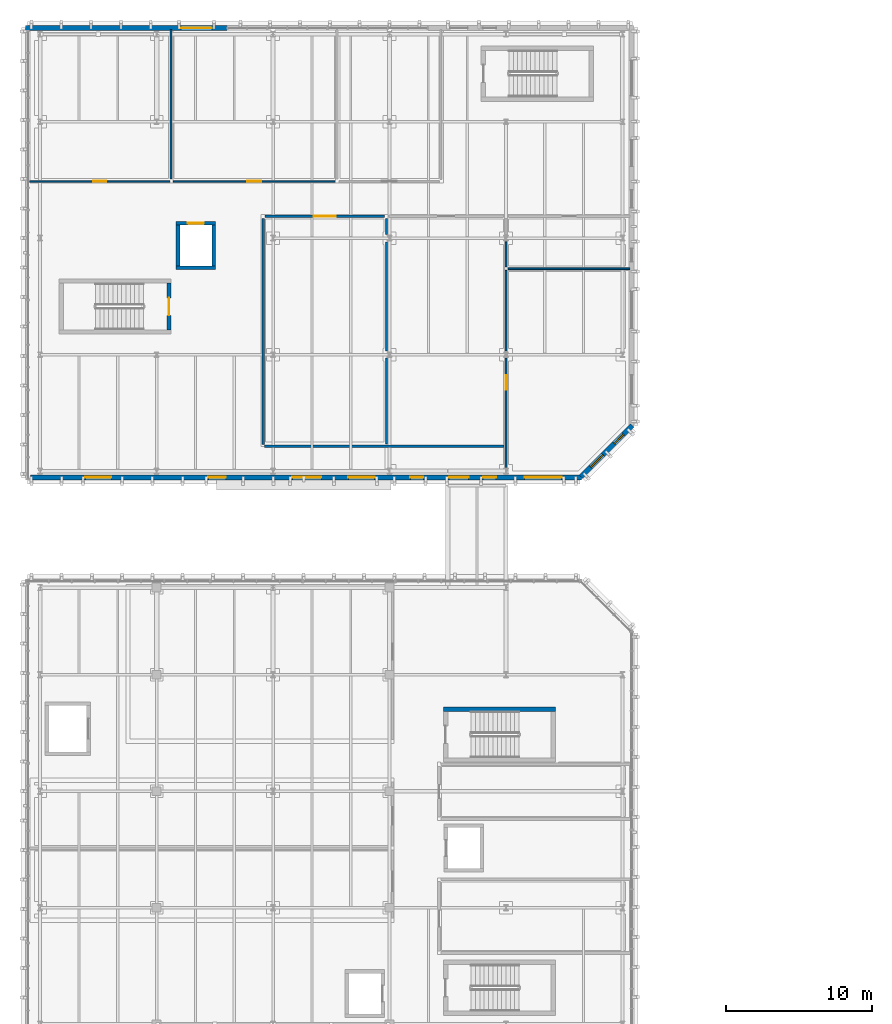
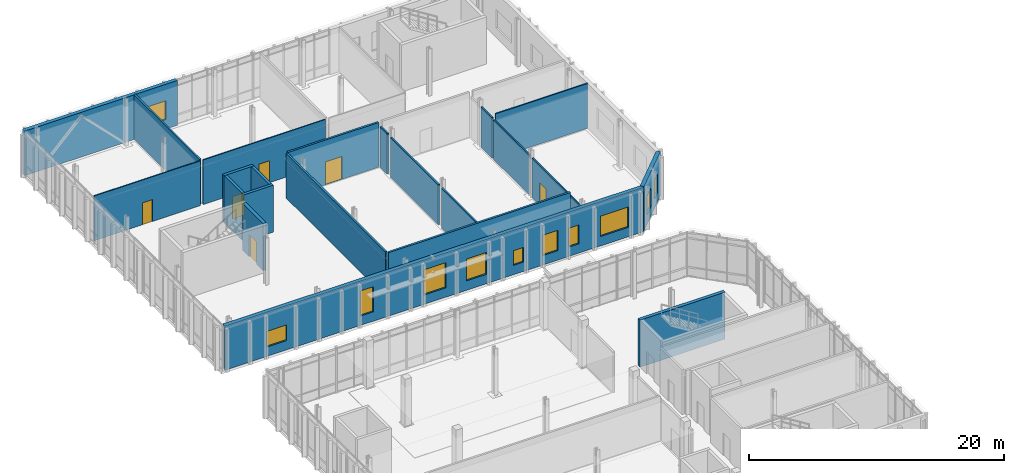
# One storey, part 43 of 62: 22 walls, 11 windows, 6 doors, 17 openings.
"""IFC4 building model written with IfcOpenShell, lengths in metres."""

from ifc_helpers import new_model, si_unit, direction, frame, frame_2d, origin, place, context, subcontext, project, spatial, rectangle, extrude, material, layer, layer_set, type_object, element, fill, save


model = new_model("IFC4")

# Units and contexts
model_context = context("Model", 3, precision=1e-05, world=origin(), true_north=direction((0.0, 1.0)))
body_context = subcontext(model_context, "Body", "Model", "MODEL_VIEW")
ifc_project = project(units=[si_unit("LENGTHUNIT", "METRE"), si_unit("AREAUNIT", "SQUARE_METRE"), si_unit("VOLUMEUNIT", "CUBIC_METRE"), si_unit("PLANEANGLEUNIT", "RADIAN"), si_unit("MASSUNIT", "GRAM", prefix="KILO")], contexts=[model_context])

# Site, building, storey
site_placement = place(None, origin())
site = spatial("IfcSite", under=ifc_project, at=site_placement, CompositionType="ELEMENT")
building_placement = place(site_placement, origin())
building = spatial("IfcBuilding", under=site, at=building_placement, Name="Cymarion Research Institute", CompositionType="ELEMENT")
storey_placement = place(building_placement, frame((0.0, 0.0, 18.300048828125)))
storey = spatial("IfcBuildingStorey", under=building, at=storey_placement, Name="L04", CompositionType="ELEMENT", Elevation=18.300048828125)

# Wall, openings, windows
ifc_material_1 = material(Name="Precast concrete C40/50", Category="concrete")
ifc_layer_1 = layer(ifc_material_1, 0.340087890625)
ifc_layer_set_1 = layer_set([ifc_layer_1], Name="Precast concrete C40/50")
wall_type_1 = type_object("IfcWallType", Name="EXTERIOR WALL EW-PC340 340MM", PredefinedType="SOLIDWALL", material=ifc_layer_set_1)
wall_1_placement = place(storey_placement, frame((5.922119140625, 85.070068359375, 0.0), z_axis=(0.0, 0.0, 1.0), x_axis=(1.0, 0.0, 0.0)))
wall_1 = element("IfcWall", 1, at=wall_1_placement, inside=storey, type_object=wall_type_1, Name="L04 V5 exterior wall EW-PC340 #213", PredefinedType="SOLIDWALL", context=body_context, shape_type="SweptSolid", body=[
    extrude(rectangle(XDim=37.8779296875, YDim=0.340087890625, at=frame_2d((18.93896484375, 0.0))), origin(), (0.0, 0.0, 1.0), 4.239990234375),
])
opening_1_placement = place(wall_1_placement, frame((3.778076171875, 0.0, 0.89990234375)))
opening_1 = element("IfcOpeningElement", 2, at=opening_1_placement, cuts=wall_1, Name="Opening W17", PredefinedType="OPENING", context=body_context, shape_type="SweptSolid", body=[
    extrude(rectangle(XDim=1.800048828125, YDim=1.5, at=frame_2d((0.89990234375, 0.75))), frame((0.0, 0.179931640625, 0.0), z_axis=(0.0, -1.0, 0.0), x_axis=(1.0, 0.0, 0.0)), (0.0, 0.0, 1.0), 0.360107421875),
])
opening_2_placement = place(wall_1_placement, frame((12.238037109375, 0.0, 0.89990234375)))
opening_2 = element("IfcOpeningElement", 3, at=opening_2_placement, cuts=wall_1, Name="Opening W19", PredefinedType="OPENING", context=body_context, shape_type="SweptSolid", body=[
    extrude(rectangle(XDim=1.199951171875, YDim=2.39990234375, at=frame_2d((0.60009765625, 1.199951171875))), frame((0.0, 0.179931640625, 0.0), z_axis=(0.0, -1.0, 0.0), x_axis=(1.0, 0.0, 0.0)), (0.0, 0.0, 1.0), 0.360107421875),
])
opening_3_placement = place(wall_1_placement, frame((17.998046875, 0.0, 0.89990234375)))
opening_3 = element("IfcOpeningElement", 4, at=opening_3_placement, cuts=wall_1, Name="Opening W21", PredefinedType="OPENING", context=body_context, shape_type="SweptSolid", body=[
    extrude(rectangle(XDim=2.0, YDim=2.39990234375, at=frame_2d((1.0, 1.199951171875))), frame((0.0, 0.179931640625, 0.0), z_axis=(0.0, -1.0, 0.0), x_axis=(1.0, 0.0, 0.0)), (0.0, 0.0, 1.0), 0.360107421875),
])
opening_4_placement = place(wall_1_placement, frame((21.85791015625, 0.0, 0.89990234375)))
opening_4 = element("IfcOpeningElement", 5, at=opening_4_placement, cuts=wall_1, Name="Opening W10", PredefinedType="OPENING", context=body_context, shape_type="SweptSolid", body=[
    extrude(rectangle(XDim=1.800048828125, YDim=2.10009765625, at=frame_2d((0.89990234375, 1.050048828125))), frame((0.0, 0.179931640625, 0.0), z_axis=(0.0, -1.0, 0.0), x_axis=(1.0, 0.0, 0.0)), (0.0, 0.0, 1.0), 0.360107421875),
])
opening_5_placement = place(wall_1_placement, frame((26.10791015625, 0.0, 0.89990234375)))
opening_5 = element("IfcOpeningElement", 6, at=opening_5_placement, cuts=wall_1, Name="Opening W25", PredefinedType="OPENING", context=body_context, shape_type="SweptSolid", body=[
    extrude(rectangle(XDim=0.89990234375, YDim=1.39990234375, at=frame_2d((0.449951171875, 0.699951171875))), frame((0.0, 0.179931640625, 0.0), z_axis=(0.0, -1.0, 0.0), x_axis=(1.0, 0.0, 0.0)), (0.0, 0.0, 1.0), 0.360107421875),
])
opening_6_placement = place(wall_1_placement, frame((28.762939453125, 0.0, 0.89990234375)))
opening_6 = element("IfcOpeningElement", 7, at=opening_6_placement, cuts=wall_1, Name="Opening W27", PredefinedType="OPENING", context=body_context, shape_type="SweptSolid", body=[
    extrude(rectangle(XDim=1.35009765625, YDim=1.949951171875, at=frame_2d((0.675048828125, 0.97509765625))), frame((0.0, 0.179931640625, 0.0), z_axis=(0.0, -1.0, 0.0), x_axis=(1.0, 0.0, 0.0)), (0.0, 0.0, 1.0), 0.360107421875),
])
opening_7_placement = place(wall_1_placement, frame((31.10791015625, 0.0, 0.89990234375)))
opening_7 = element("IfcOpeningElement", 8, at=opening_7_placement, cuts=wall_1, Name="Opening W24", PredefinedType="OPENING", context=body_context, shape_type="SweptSolid", body=[
    extrude(rectangle(XDim=0.89990234375, YDim=1.800048828125, at=frame_2d((0.449951171875, 0.89990234375))), frame((0.0, 0.179931640625, 0.0), z_axis=(0.0, -1.0, 0.0), x_axis=(1.0, 0.0, 0.0)), (0.0, 0.0, 1.0), 0.360107421875),
])
opening_8_placement = place(wall_1_placement, frame((33.952880859375, 0.0, 0.89990234375)))
opening_8 = element("IfcOpeningElement", 9, at=opening_8_placement, cuts=wall_1, Name="Opening W31", PredefinedType="OPENING", context=body_context, shape_type="SweptSolid", body=[
    extrude(rectangle(XDim=2.550048828125, YDim=1.949951171875, at=frame_2d((1.27490234375, 0.97509765625))), frame((0.0, 0.179931640625, 0.0), z_axis=(0.0, -1.0, 0.0), x_axis=(1.0, 0.0, 0.0)), (0.0, 0.0, 1.0), 0.360107421875),
])
ifc_material_2 = material(Name="Thermally broken aluminium window with Low-E glazing", Category="aluminium")
window_type_1 = type_object("IfcWindowType", Name="THERMALLY BROKEN ALUMINIUM WINDOW W10 1800X2100", PartitioningType="DOUBLE_PANEL_VERTICAL", PredefinedType="WINDOW", material=ifc_material_2)
window_1_placement = place(opening_4_placement, origin())
window_1 = element("IfcWindow", 10, at=window_1_placement, inside=storey, type_object=window_type_1, Name="L04 V5 facade window W10 #389", OverallHeight=2.10009765625, OverallWidth=1.800048828125, PartitioningType="SINGLE_PANEL", PredefinedType="WINDOW", context=body_context, shape_type="SweptSolid", body=[
    extrude(rectangle(XDim=1.800048828125, YDim=2.10009765625, at=frame_2d((0.89990234375, 1.050048828125))), frame((0.0, 0.030029296875, 0.0), z_axis=(0.0, -1.0, 0.0), x_axis=(1.0, 0.0, 0.0)), (0.0, 0.0, 1.0), 0.06005859375),
])
fill(opening_4, window_1)
window_type_2 = type_object("IfcWindowType", Name="THERMALLY BROKEN ALUMINIUM WINDOW W17 1800X1500", PartitioningType="DOUBLE_PANEL_HORIZONTAL", PredefinedType="WINDOW", material=ifc_material_2)
window_2_placement = place(opening_1_placement, origin())
window_2 = element("IfcWindow", 11, at=window_2_placement, inside=storey, type_object=window_type_2, Name="L04 V5 facade window W17 #386", OverallHeight=1.5, OverallWidth=1.800048828125, PartitioningType="SINGLE_PANEL", PredefinedType="WINDOW", context=body_context, shape_type="SweptSolid", body=[
    extrude(rectangle(XDim=1.800048828125, YDim=1.5, at=frame_2d((0.89990234375, 0.75))), frame((0.0, 0.030029296875, 0.0), z_axis=(0.0, -1.0, 0.0), x_axis=(1.0, 0.0, 0.0)), (0.0, 0.0, 1.0), 0.06005859375),
])
fill(opening_1, window_2)
window_type_3 = type_object("IfcWindowType", Name="THERMALLY BROKEN ALUMINIUM WINDOW W19 1200X2400", PartitioningType="SINGLE_PANEL", PredefinedType="WINDOW", material=ifc_material_2)
window_3_placement = place(opening_2_placement, origin())
window_3 = element("IfcWindow", 12, at=window_3_placement, inside=storey, type_object=window_type_3, Name="L04 V5 facade window W19 #387", OverallHeight=2.39990234375, OverallWidth=1.199951171875, PartitioningType="SINGLE_PANEL", PredefinedType="WINDOW", context=body_context, shape_type="SweptSolid", body=[
    extrude(rectangle(XDim=1.199951171875, YDim=2.39990234375, at=frame_2d((0.60009765625, 1.199951171875))), frame((0.0, 0.030029296875, 0.0), z_axis=(0.0, -1.0, 0.0), x_axis=(1.0, 0.0, 0.0)), (0.0, 0.0, 1.0), 0.06005859375),
])
fill(opening_2, window_3)
window_type_4 = type_object("IfcWindowType", Name="THERMALLY BROKEN ALUMINIUM WINDOW W21 2000X2400", PartitioningType="DOUBLE_PANEL_VERTICAL", PredefinedType="WINDOW", material=ifc_material_2)
window_4_placement = place(opening_3_placement, origin())
window_4 = element("IfcWindow", 13, at=window_4_placement, inside=storey, type_object=window_type_4, Name="L04 V5 facade window W21 #388", OverallHeight=2.39990234375, OverallWidth=2.0, PartitioningType="SINGLE_PANEL", PredefinedType="WINDOW", context=body_context, shape_type="SweptSolid", body=[
    extrude(rectangle(XDim=2.0, YDim=2.39990234375, at=frame_2d((1.0, 1.199951171875))), frame((0.0, 0.030029296875, 0.0), z_axis=(0.0, -1.0, 0.0), x_axis=(1.0, 0.0, 0.0)), (0.0, 0.0, 1.0), 0.06005859375),
])
fill(opening_3, window_4)
window_type_5 = type_object("IfcWindowType", Name="THERMALLY BROKEN ALUMINIUM WINDOW W24 900X1800", PartitioningType="SINGLE_PANEL", PredefinedType="WINDOW", material=ifc_material_2)
window_5_placement = place(opening_7_placement, origin())
window_5 = element("IfcWindow", 14, at=window_5_placement, inside=storey, type_object=window_type_5, Name="L04 V5 facade window W24 #392", OverallHeight=1.800048828125, OverallWidth=0.89990234375, PartitioningType="SINGLE_PANEL", PredefinedType="WINDOW", context=body_context, shape_type="SweptSolid", body=[
    extrude(rectangle(XDim=0.89990234375, YDim=1.800048828125, at=frame_2d((0.449951171875, 0.89990234375))), frame((0.0, 0.030029296875, 0.0), z_axis=(0.0, -1.0, 0.0), x_axis=(1.0, 0.0, 0.0)), (0.0, 0.0, 1.0), 0.06005859375),
])
fill(opening_7, window_5)
window_type_6 = type_object("IfcWindowType", Name="THERMALLY BROKEN ALUMINIUM WINDOW W25 900X1400", PartitioningType="SINGLE_PANEL", PredefinedType="WINDOW", material=ifc_material_2)
window_6_placement = place(opening_5_placement, origin())
window_6 = element("IfcWindow", 15, at=window_6_placement, inside=storey, type_object=window_type_6, Name="L04 V5 facade window W25 #390", OverallHeight=1.39990234375, OverallWidth=0.89990234375, PartitioningType="SINGLE_PANEL", PredefinedType="WINDOW", context=body_context, shape_type="SweptSolid", body=[
    extrude(rectangle(XDim=0.89990234375, YDim=1.39990234375, at=frame_2d((0.449951171875, 0.699951171875))), frame((0.0, 0.030029296875, 0.0), z_axis=(0.0, -1.0, 0.0), x_axis=(1.0, 0.0, 0.0)), (0.0, 0.0, 1.0), 0.06005859375),
])
fill(opening_5, window_6)
window_type_7 = type_object("IfcWindowType", Name="THERMALLY BROKEN ALUMINIUM WINDOW W27 1350X1950", PartitioningType="SINGLE_PANEL", PredefinedType="WINDOW", material=ifc_material_2)
window_7_placement = place(opening_6_placement, origin())
window_7 = element("IfcWindow", 16, at=window_7_placement, inside=storey, type_object=window_type_7, Name="L04 V5 facade window W27 #391", OverallHeight=1.949951171875, OverallWidth=1.35009765625, PartitioningType="SINGLE_PANEL", PredefinedType="WINDOW", context=body_context, shape_type="SweptSolid", body=[
    extrude(rectangle(XDim=1.35009765625, YDim=1.949951171875, at=frame_2d((0.675048828125, 0.97509765625))), frame((0.0, 0.030029296875, 0.0), z_axis=(0.0, -1.0, 0.0), x_axis=(1.0, 0.0, 0.0)), (0.0, 0.0, 1.0), 0.06005859375),
])
fill(opening_6, window_7)
window_type_8 = type_object("IfcWindowType", Name="THERMALLY BROKEN ALUMINIUM WINDOW W31 2550X1950", PartitioningType="TRIPLE_PANEL_VERTICAL", PredefinedType="WINDOW", material=ifc_material_2)
window_8_placement = place(opening_8_placement, origin())
window_8 = element("IfcWindow", 17, at=window_8_placement, inside=storey, type_object=window_type_8, Name="L04 V5 facade window W31 #393", OverallHeight=1.949951171875, OverallWidth=2.550048828125, PartitioningType="SINGLE_PANEL", PredefinedType="WINDOW", context=body_context, shape_type="SweptSolid", body=[
    extrude(rectangle(XDim=2.550048828125, YDim=1.949951171875, at=frame_2d((1.27490234375, 0.97509765625))), frame((0.0, 0.030029296875, 0.0), z_axis=(0.0, -1.0, 0.0), x_axis=(1.0, 0.0, 0.0)), (0.0, 0.0, 1.0), 0.06005859375),
])
fill(opening_8, window_8)

wall_2_placement = place(storey_placement, frame((43.7666015625, 85.107177734375, 0.0), z_axis=(0.0, 0.0, 1.0), x_axis=(0.707131350994, 0.707082210525, 0.0)))
wall_2 = element("IfcWall", 18, at=wall_2_placement, inside=storey, type_object=wall_type_1, Name="L04 V5 exterior wall EW-PC340 #214", PredefinedType="SOLIDWALL", context=body_context, shape_type="SweptSolid", body=[
    extrude(rectangle(XDim=4.96826171875, YDim=0.340087890625, at=frame_2d((2.484130859375, 0.0))), origin(), (0.0, 0.0, 1.0), 4.239990234375),
])
opening_9_placement = place(wall_2_placement, frame((0.930908203125, 0.0, 0.89990234375)))
opening_9 = element("IfcOpeningElement", 19, at=opening_9_placement, cuts=wall_2, Name="Opening W01", PredefinedType="OPENING", context=body_context, shape_type="SweptSolid", body=[
    extrude(rectangle(XDim=1.199951171875, YDim=1.800048828125, at=frame_2d((0.60009765625, 0.89990234375))), frame((0.0, 0.179931640625, 0.0), z_axis=(0.0, -1.0, 0.0), x_axis=(1.0, 0.0, 0.0)), (0.0, 0.0, 1.0), 0.360107421875),
])
opening_10_placement = place(wall_2_placement, frame((3.22509765625, 0.0, 0.89990234375)))
opening_10 = element("IfcOpeningElement", 20, at=opening_10_placement, cuts=wall_2, Name="Opening W24", PredefinedType="OPENING", context=body_context, shape_type="SweptSolid", body=[
    extrude(rectangle(XDim=0.89990234375, YDim=1.800048828125, at=frame_2d((0.449951171875, 0.89990234375))), frame((0.0, 0.179931640625, 0.0), z_axis=(0.0, -1.0, 0.0), x_axis=(1.0, 0.0, 0.0)), (0.0, 0.0, 1.0), 0.360107421875),
])
window_type_9 = type_object("IfcWindowType", Name="THERMALLY BROKEN ALUMINIUM WINDOW W01 1200X1800", PartitioningType="SINGLE_PANEL", PredefinedType="WINDOW", material=ifc_material_2)
window_9_placement = place(opening_9_placement, origin())
window_9 = element("IfcWindow", 21, at=window_9_placement, inside=storey, type_object=window_type_9, Name="L04 V5 facade window W01 #394", OverallHeight=1.800048828125, OverallWidth=1.199951171875, PartitioningType="SINGLE_PANEL", PredefinedType="WINDOW", context=body_context, shape_type="SweptSolid", body=[
    extrude(rectangle(XDim=1.199951171875, YDim=1.800048828125, at=frame_2d((0.60009765625, 0.89990234375))), frame((0.0, 0.030029296875, 0.0), z_axis=(0.0, -1.0, 0.0), x_axis=(1.0, 0.0, 0.0)), (0.0, 0.0, 1.0), 0.06005859375),
])
fill(opening_9, window_9)
window_10_placement = place(opening_10_placement, origin())
window_10 = element("IfcWindow", 22, at=window_10_placement, inside=storey, type_object=window_type_5, Name="L04 V5 facade window W24 #395", OverallHeight=1.800048828125, OverallWidth=0.89990234375, PartitioningType="SINGLE_PANEL", PredefinedType="WINDOW", context=body_context, shape_type="SweptSolid", body=[
    extrude(rectangle(XDim=0.89990234375, YDim=1.800048828125, at=frame_2d((0.449951171875, 0.89990234375))), frame((0.0, 0.030029296875, 0.0), z_axis=(0.0, -1.0, 0.0), x_axis=(1.0, 0.0, 0.0)), (0.0, 0.0, 1.0), 0.06005859375),
])
fill(opening_10, window_10)

# Wall, opening, window
wall_3_placement = place(storey_placement, frame((19.426025390625, 115.929931640625, 0.0), z_axis=(0.0, 0.0, 1.0), x_axis=(-1.0, 0.0, 0.0)))
wall_3 = element("IfcWall", 23, at=wall_3_placement, inside=storey, type_object=wall_type_1, Name="L04 V5 facade pier wall EW-PC340 #217", PredefinedType="SOLIDWALL", context=body_context, shape_type="SweptSolid", body=[
    extrude(rectangle(XDim=13.825927734375, YDim=0.340087890625, at=frame_2d((6.9130859375, 0.0))), origin(), (0.0, 0.0, 1.0), 4.280029296875),
])
opening_11_placement = place(wall_3_placement, frame((1.032958984375, 0.0, 0.89990234375)))
opening_11 = element("IfcOpeningElement", 24, at=opening_11_placement, cuts=wall_3, Name="Opening W04", PredefinedType="OPENING", context=body_context, shape_type="SweptSolid", body=[
    extrude(rectangle(XDim=2.10009765625, YDim=1.800048828125, at=frame_2d((1.050048828125, 0.89990234375))), frame((0.0, 0.179931640625, 0.0), z_axis=(0.0, -1.0, 0.0), x_axis=(1.0, 0.0, 0.0)), (0.0, 0.0, 1.0), 0.360107421875),
])
window_type_10 = type_object("IfcWindowType", Name="THERMALLY BROKEN ALUMINIUM WINDOW W04 2100X1800", PartitioningType="DOUBLE_PANEL_VERTICAL", PredefinedType="WINDOW", material=ifc_material_2)
window_11_placement = place(opening_11_placement, origin())
window_11 = element("IfcWindow", 25, at=window_11_placement, inside=storey, type_object=window_type_10, Name="L04 V5 facade window W04 #404", OverallHeight=1.800048828125, OverallWidth=2.10009765625, PartitioningType="SINGLE_PANEL", PredefinedType="WINDOW", context=body_context, shape_type="SweptSolid", body=[
    extrude(rectangle(XDim=2.10009765625, YDim=1.800048828125, at=frame_2d((1.050048828125, 0.89990234375))), frame((0.0, 0.030029296875, 0.0), z_axis=(0.0, -1.0, 0.0), x_axis=(1.0, 0.0, 0.0)), (0.0, 0.0, 1.0), 0.06005859375),
])
fill(opening_11, window_11)

# Walls
ifc_material_3 = material(Name="Gypsum acoustic double-stud partition", Category="gypsum")
ifc_layer_2 = layer(ifc_material_3, 0.14990234375)
ifc_layer_set_2 = layer_set([ifc_layer_2], Name="Gypsum acoustic double-stud partition")
wall_type_2 = type_object("IfcWallType", Name="INTERIOR PARTITION IW-AC150 150MM", PredefinedType="PARTITIONING", material=ifc_layer_set_2)
wall_4_placement = place(storey_placement, frame((30.39990234375, 87.360107421875, 0.0), z_axis=(0.0, 0.0, 1.0), x_axis=(0.0, 1.0, 0.0)))
element("IfcWall", 26, at=wall_4_placement, inside=storey, type_object=wall_type_2, Name="L04 V5 interior partition IW-AC150 #295", PredefinedType="PARTITIONING", context=body_context, shape_type="SweptSolid", body=[
    extrude(rectangle(XDim=5.889892578125, YDim=0.14990234375, at=frame_2d((2.94482421875, 0.0))), origin(), (0.0, 0.0, 1.0), 3.83984375),
])
wall_5_placement = place(storey_placement, frame((30.39990234375, 93.75, 0.0), z_axis=(0.0, 0.0, 1.0), x_axis=(0.0, 1.0, 0.0)))
element("IfcWall", 27, at=wall_5_placement, inside=storey, type_object=wall_type_2, Name="L04 V5 interior partition IW-AC150 #296", PredefinedType="PARTITIONING", context=body_context, shape_type="SweptSolid", body=[
    extrude(rectangle(XDim=7.5, YDim=0.14990234375, at=frame_2d((3.75, 0.0))), origin(), (0.0, 0.0, 1.0), 3.83984375),
])
wall_6_placement = place(storey_placement, frame((30.39990234375, 101.75, 0.0), z_axis=(0.0, 0.0, 1.0), x_axis=(0.0, 1.0, 0.0)))
element("IfcWall", 28, at=wall_6_placement, inside=storey, type_object=wall_type_2, Name="L04 V5 interior partition IW-AC150 #297", PredefinedType="PARTITIONING", context=body_context, shape_type="SweptSolid", body=[
    extrude(rectangle(XDim=1.090087890625, YDim=0.14990234375, at=frame_2d((0.544921875, 0.0))), origin(), (0.0, 0.0, 1.0), 3.8798828125),
])
wall_7_placement = place(storey_placement, frame((15.60009765625, 105.56005859375, 0.0), z_axis=(0.0, 0.0, 1.0), x_axis=(0.0, 1.0, 0.0)))
element("IfcWall", 29, at=wall_7_placement, inside=storey, type_object=wall_type_2, Name="L04 V5 interior partition IW-AC150 #306", PredefinedType="PARTITIONING", context=body_context, shape_type="SweptSolid", body=[
    extrude(rectangle(XDim=10.2548828125, YDim=0.14990234375, at=frame_2d((5.12744140625, 0.0))), origin(), (0.0, 0.0, 1.0), 4.280029296875),
])

# Wall, opening, door
ifc_material_4 = material(Name="Framed acoustic glass laboratory screen", Category="glass")
ifc_layer_3 = layer(ifc_material_4, 0.10009765625)
ifc_layer_set_3 = layer_set([ifc_layer_3], Name="Framed acoustic glass laboratory screen")
wall_type_3 = type_object("IfcWallType", Name="INTERIOR PARTITION IW-GL100 100MM", PredefinedType="PARTITIONING", material=ifc_layer_set_3)
wall_8_placement = place(storey_placement, frame((5.885009765625, 105.39990234375, 0.0), z_axis=(0.0, 0.0, 1.0), x_axis=(1.0, 0.0, 0.0)))
wall_8 = element("IfcWall", 30, at=wall_8_placement, inside=storey, type_object=wall_type_3, Name="L04 V5 interior partition IW-GL100 #309", PredefinedType="PARTITIONING", context=body_context, shape_type="SweptSolid", body=[
    extrude(rectangle(XDim=9.635009765625, YDim=0.10009765625, at=frame_2d((4.8173828125, 0.0))), origin(), (0.0, 0.0, 1.0), 4.280029296875),
])
opening_12_placement = place(wall_8_placement, frame((4.367919921875, 0.0, 0.0)))
opening_12 = element("IfcOpeningElement", 31, at=opening_12_placement, cuts=wall_8, Name="Opening D-L04-186", PredefinedType="OPENING", context=body_context, shape_type="SweptSolid", body=[
    extrude(rectangle(XDim=0.89990234375, YDim=2.10009765625, at=frame_2d((0.449951171875, 1.050048828125))), frame((0.0, 0.06005859375, 0.0), z_axis=(0.0, -1.0, 0.0), x_axis=(1.0, 0.0, 0.0)), (0.0, 0.0, 1.0), 0.1201171875),
])
ifc_material_5 = material(Name="Flush acoustic timber/steel door assembly", Category="steel")
door_type_1 = type_object("IfcDoorType", Name="RESEARCH WRITE-UP OFFICE DOOR DT-OF090 900X2100", OperationType="NOTDEFINED", PredefinedType="DOOR", material=ifc_material_5)
door_1_placement = place(opening_12_placement, origin())
door_1 = element("IfcDoor", 32, at=door_1_placement, inside=storey, type_object=door_type_1, Name="L04 Faculty Office W door D-L04-186", OperationType="SINGLE_SWING_LEFT", OverallHeight=2.10009765625, OverallWidth=0.89990234375, PredefinedType="DOOR", context=body_context, shape_type="SweptSolid", body=[
    extrude(rectangle(XDim=0.89990234375, YDim=2.10009765625, at=frame_2d((0.449951171875, 1.050048828125))), frame((0.0, 0.02490234375, 0.0), z_axis=(0.0, -1.0, 0.0), x_axis=(1.0, 0.0, 0.0)), (0.0, 0.0, 1.0), 0.050048828125),
])
fill(opening_12, door_1)

wall_9_placement = place(storey_placement, frame((15.760009765625, 105.39990234375, 0.0), z_axis=(0.0, 0.0, 1.0), x_axis=(1.0, 0.0, 0.0)))
wall_9 = element("IfcWall", 33, at=wall_9_placement, inside=storey, type_object=wall_type_3, Name="L04 V5 interior partition IW-GL100 #310", PredefinedType="PARTITIONING", context=body_context, shape_type="SweptSolid", body=[
    extrude(rectangle(XDim=11.080078125, YDim=0.10009765625, at=frame_2d((5.5400390625, 0.0))), origin(), (0.0, 0.0, 1.0), 4.280029296875),
])
opening_13_placement = place(wall_9_placement, frame((5.06494140625, 0.0, 0.0)))
opening_13 = element("IfcOpeningElement", 34, at=opening_13_placement, cuts=wall_9, Name="Opening D-L04-187", PredefinedType="OPENING", context=body_context, shape_type="SweptSolid", body=[
    extrude(rectangle(XDim=0.949951171875, YDim=2.10009765625, at=frame_2d((0.47509765625, 1.050048828125))), frame((0.0, 0.06005859375, 0.0), z_axis=(0.0, -1.0, 0.0), x_axis=(1.0, 0.0, 0.0)), (0.0, 0.0, 1.0), 0.1201171875),
])
door_type_2 = type_object("IfcDoorType", Name="FACULTY STUDY DOOR DT-OF095 950X2100", OperationType="NOTDEFINED", PredefinedType="DOOR", material=ifc_material_5)
door_2_placement = place(opening_13_placement, origin())
door_2 = element("IfcDoor", 35, at=door_2_placement, inside=storey, type_object=door_type_2, Name="L04 Postdoc Write-Up door D-L04-187", OperationType="SINGLE_SWING_RIGHT", OverallHeight=2.10009765625, OverallWidth=0.949951171875, PredefinedType="DOOR", context=body_context, shape_type="SweptSolid", body=[
    extrude(rectangle(XDim=0.949951171875, YDim=2.10009765625, at=frame_2d((0.47509765625, 1.050048828125))), frame((0.0, 0.02490234375, 0.0), z_axis=(0.0, -1.0, 0.0), x_axis=(1.0, 0.0, 0.0)), (0.0, 0.0, 1.0), 0.050048828125),
])
fill(opening_13, door_2)

# Walls
ifc_material_6 = material(Name="Moisture-resistant laboratory partition", Category="gypsum")
ifc_layer_4 = layer(ifc_material_6, 0.179931640625)
ifc_layer_set_4 = layer_set([ifc_layer_4], Name="Moisture-resistant laboratory partition")
wall_type_4 = type_object("IfcWallType", Name="INTERIOR PARTITION IW-LB180 180MM", PredefinedType="PARTITIONING", material=ifc_layer_set_4)
wall_10_placement = place(storey_placement, frame((21.919921875, 87.340087890625, 0.0), z_axis=(0.0, 0.0, 1.0), x_axis=(0.0, 1.0, 0.0)))
element("IfcWall", 36, at=wall_10_placement, inside=storey, type_object=wall_type_4, Name="L04 V5 interior partition IW-LB180 #293", PredefinedType="PARTITIONING", context=body_context, shape_type="SweptSolid", body=[
    extrude(rectangle(XDim=15.52001953125, YDim=0.179931640625, at=frame_2d((7.760009765625, 0.0))), origin(), (0.0, 0.0, 1.0), 4.280029296875),
])
wall_11_placement = place(storey_placement, frame((22.0, 87.199951171875, 0.0), z_axis=(0.0, 0.0, 1.0), x_axis=(1.0, 0.0, 0.0)))
element("IfcWall", 37, at=wall_11_placement, inside=storey, type_object=wall_type_4, Name="L04 V5 interior partition IW-LB180 #294", PredefinedType="PARTITIONING", context=body_context, shape_type="SweptSolid", body=[
    extrude(rectangle(XDim=16.47998046875, YDim=0.179931640625, at=frame_2d((8.239990234375, 0.0))), origin(), (0.0, 0.0, 1.0), 4.280029296875),
])

# Wall, opening, door
wall_12_placement = place(storey_placement, frame((22.050048828125, 103.0, 0.0), z_axis=(0.0, 0.0, 1.0), x_axis=(1.0, 0.0, 0.0)))
wall_12 = element("IfcWall", 38, at=wall_12_placement, inside=storey, type_object=wall_type_4, Name="L04 V5 interior partition IW-LB180 #303", PredefinedType="PARTITIONING", context=body_context, shape_type="SweptSolid", body=[
    extrude(rectangle(XDim=8.18994140625, YDim=0.179931640625, at=frame_2d((4.094970703125, 0.0))), origin(), (0.0, 0.0, 1.0), 4.280029296875),
])
opening_14_placement = place(wall_12_placement, frame((3.344970703125, 0.0, 0.0)))
opening_14 = element("IfcOpeningElement", 39, at=opening_14_placement, cuts=wall_12, Name="Opening D-L04-183", PredefinedType="OPENING", context=body_context, shape_type="SweptSolid", body=[
    extrude(rectangle(XDim=1.5, YDim=2.199951171875, at=frame_2d((0.75, 1.10009765625))), frame((0.0, 0.099853515625, 0.0), z_axis=(0.0, -1.0, 0.0), x_axis=(1.0, 0.0, 0.0)), (0.0, 0.0, 1.0), 0.199951171875),
])
door_type_3 = type_object("IfcDoorType", Name="LABORATORY EQUIPMENT DOUBLE DOOR DT-LB150 1500X2200", OperationType="DOUBLE_DOOR_SINGLE_SWING", PredefinedType="DOOR", material=ifc_material_5)
door_3_placement = place(opening_14_placement, origin())
door_3 = element("IfcDoor", 40, at=door_3_placement, inside=storey, type_object=door_type_3, Name="L04 Dry Lab 1 door D-L04-183", OperationType="DOUBLE_DOOR_SINGLE_SWING", OverallHeight=2.199951171875, OverallWidth=1.5, PredefinedType="DOOR", context=body_context, shape_type="SweptSolid", body=[
    extrude(rectangle(XDim=1.5, YDim=2.199951171875, at=frame_2d((0.75, 1.10009765625))), frame((0.0, 0.02490234375, 0.0), z_axis=(0.0, -1.0, 0.0), x_axis=(1.0, 0.0, 0.0)), (0.0, 0.0, 1.0), 0.050048828125),
])
fill(opening_14, door_3)

# Wall
ifc_material_7 = material(Name="Service riser shaft wall", Category="gypsum")
ifc_layer_5 = layer(ifc_material_7, 0.1201171875)
ifc_layer_set_5 = layer_set([ifc_layer_5], Name="Service riser shaft wall")
wall_type_5 = type_object("IfcWallType", Name="INTERIOR PARTITION IW-SH120 120MM", PredefinedType="PARTITIONING", material=ifc_layer_set_5)
wall_13_placement = place(storey_placement, frame((38.739990234375, 99.39990234375, 0.0), z_axis=(0.0, 0.0, 1.0), x_axis=(1.0, 0.0, 0.0)))
element("IfcWall", 41, at=wall_13_placement, inside=storey, type_object=wall_type_5, Name="L04 V5 interior partition IW-SH120 #298", PredefinedType="PARTITIONING", context=body_context, shape_type="SweptSolid", body=[
    extrude(rectangle(XDim=8.375, YDim=0.1201171875, at=frame_2d((4.1875, 0.0))), origin(), (0.0, 0.0, 1.0), 4.280029296875),
])

# Wall, opening, door
wall_14_placement = place(storey_placement, frame((38.60009765625, 85.75, 0.0), z_axis=(0.0, 0.0, 1.0), x_axis=(0.0, 1.0, 0.0)))
wall_14 = element("IfcWall", 42, at=wall_14_placement, inside=storey, type_object=wall_type_5, Name="L04 V5 interior partition IW-SH120 #299", PredefinedType="PARTITIONING", context=body_context, shape_type="SweptSolid", body=[
    extrude(rectangle(XDim=7.5, YDim=0.1201171875, at=frame_2d((3.75, 0.0))), origin(), (0.0, 0.0, 1.0), 3.83984375),
])
opening_15_placement = place(wall_14_placement, frame((5.330078125, 0.0, 0.0)))
opening_15 = element("IfcOpeningElement", 43, at=opening_15_placement, cuts=wall_14, Name="Opening D-L04-182", PredefinedType="OPENING", context=body_context, shape_type="SweptSolid", body=[
    extrude(rectangle(XDim=1.0, YDim=2.14990234375, at=frame_2d((0.5, 1.074951171875))), frame((0.0, 0.070068359375, 0.0), z_axis=(0.0, -1.0, 0.0), x_axis=(1.0, 0.0, 0.0)), (0.0, 0.0, 1.0), 0.14013671875),
])
door_type_4 = type_object("IfcDoorType", Name="LABORATORY SINGLE LEAF DOOR DT-LB100 1000X2150", OperationType="NOTDEFINED", PredefinedType="DOOR", material=ifc_material_5)
door_4_placement = place(opening_15_placement, origin())
door_4 = element("IfcDoor", 44, at=door_4_placement, inside=storey, type_object=door_type_4, Name="L04 Tape Archive door D-L04-182", OperationType="SINGLE_SWING_LEFT", OverallHeight=2.14990234375, OverallWidth=1.0, PredefinedType="DOOR", context=body_context, shape_type="SweptSolid", body=[
    extrude(rectangle(XDim=1.0, YDim=2.14990234375, at=frame_2d((0.5, 1.074951171875))), frame((0.0, 0.02490234375, 0.0), z_axis=(0.0, -1.0, 0.0), x_axis=(1.0, 0.0, 0.0)), (0.0, 0.0, 1.0), 0.050048828125),
])
fill(opening_15, door_4)

# Walls
wall_15_placement = place(storey_placement, frame((38.60009765625, 93.75, 0.0), z_axis=(0.0, 0.0, 1.0), x_axis=(0.0, 1.0, 0.0)))
element("IfcWall", 45, at=wall_15_placement, inside=storey, type_object=wall_type_5, Name="L04 V5 interior partition IW-SH120 #300", PredefinedType="PARTITIONING", context=body_context, shape_type="SweptSolid", body=[
    extrude(rectangle(XDim=5.530029296875, YDim=0.1201171875, at=frame_2d((2.76513671875, 0.0))), origin(), (0.0, 0.0, 1.0), 3.83984375),
])
wall_16_placement = place(storey_placement, frame((38.60009765625, 99.52001953125, 0.0), z_axis=(0.0, 0.0, 1.0), x_axis=(0.0, 1.0, 0.0)))
element("IfcWall", 46, at=wall_16_placement, inside=storey, type_object=wall_type_5, Name="L04 V5 interior partition IW-SH120 #301", PredefinedType="PARTITIONING", context=body_context, shape_type="SweptSolid", body=[
    extrude(rectangle(XDim=1.72998046875, YDim=0.1201171875, at=frame_2d((0.864990234375, 0.0))), origin(), (0.0, 0.0, 1.0), 3.8798828125),
])
ifc_material_8 = material(Name="Concrete C40/50", Category="concrete")
ifc_layer_6 = layer(ifc_material_8, 0.25)
ifc_layer_set_6 = layer_set([ifc_layer_6], Name="Concrete C40/50")
wall_type_6 = type_object("IfcWallType", Name="REINFORCED CONCRETE CORE WALL CW-SH250 250MM", PredefinedType="SHEAR", material=ifc_layer_set_6)
wall_17_placement = place(storey_placement, frame((15.949951171875, 99.47509765625, 0.0), z_axis=(0.0, 0.0, 1.0), x_axis=(1.0, 0.0, 0.0)))
element("IfcWall", 47, at=wall_17_placement, inside=storey, type_object=wall_type_6, Name="L04 LSH-LP5-L04 south core wall", PredefinedType="SHEAR", context=body_context, shape_type="SweptSolid", body=[
    extrude(rectangle(XDim=2.699951171875, YDim=0.25, at=frame_2d((1.35009765625, 0.0))), origin(), (0.0, 0.0, 1.0), 4.5),
])

# Wall, opening, door
wall_18_placement = place(storey_placement, frame((18.64990234375, 102.52490234375, 0.0), z_axis=(0.0, 0.0, 1.0), x_axis=(-1.0, 0.0, 0.0)))
wall_18 = element("IfcWall", 48, at=wall_18_placement, inside=storey, type_object=wall_type_6, Name="L04 LSH-LP5-L04 north core wall", PredefinedType="SHEAR", context=body_context, shape_type="SweptSolid", body=[
    extrude(rectangle(XDim=2.699951171875, YDim=0.25, at=frame_2d((1.35009765625, 0.0))), origin(), (0.0, 0.0, 1.0), 4.5),
])
opening_16_placement = place(wall_18_placement, frame((0.800048828125, 0.0, 0.0)))
opening_16 = element("IfcOpeningElement", 49, at=opening_16_placement, cuts=wall_18, Name="Opening LD-LP5-L04", PredefinedType="OPENING", context=body_context, shape_type="SweptSolid", body=[
    extrude(rectangle(XDim=1.10009765625, YDim=2.14990234375, at=frame_2d((0.550048828125, 1.074951171875))), frame((0.0, 0.135009765625, 0.0), z_axis=(0.0, -1.0, 0.0), x_axis=(1.0, 0.0, 0.0)), (0.0, 0.0, 1.0), 0.27001953125),
])
ifc_material_9 = material(Name="Fire-rated insulated steel door assembly", Category="steel")
door_type_5 = type_object("IfcDoorType", Name="SLIDING LIFT LANDING DOOR DT-LD110 1100X2150", OperationType="DOUBLE_DOOR_SLIDING", PredefinedType="DOOR", material=ifc_material_9)
door_5_placement = place(opening_16_placement, origin())
door_5 = element("IfcDoor", 50, at=door_5_placement, inside=storey, type_object=door_type_5, Name="Lift LP5 landing door L04", OperationType="DOUBLE_DOOR_SLIDING", OverallHeight=2.14990234375, OverallWidth=1.10009765625, PredefinedType="DOOR", context=body_context, shape_type="SweptSolid", body=[
    extrude(rectangle(XDim=1.10009765625, YDim=2.14990234375, at=frame_2d((0.550048828125, 1.074951171875))), frame((0.0, 0.02490234375, 0.0), z_axis=(0.0, -1.0, 0.0), x_axis=(1.0, 0.0, 0.0)), (0.0, 0.0, 1.0), 0.050048828125),
])
fill(opening_16, door_5)

# Walls
for number, where, z_axis, x_axis, name in (
    (51, (16.074951171875, 102.39990234375, 0.0), (0.0, 0.0, 1.0), (0.0, -1.0, 0.0), "L04 LSH-LP5-L04 west core wall"),
    (52, (18.52490234375, 99.60009765625, 0.0), (0.0, 0.0, 1.0), (0.0, 1.0, 0.0), "L04 LSH-LP5-L04 east core wall"),
):
    element("IfcWall", number, at=place(storey_placement, frame(where, z_axis=z_axis, x_axis=x_axis)), inside=storey, type_object=wall_type_6, Name=name, PredefinedType="SHEAR", context=body_context, shape_type="SweptSolid", body=[
        extrude(rectangle(XDim=2.7998046875, YDim=0.25, at=frame_2d((1.39990234375, 0.0))), origin(), (0.0, 0.0, 1.0), 4.5),
    ])
ifc_layer_7 = layer(ifc_material_8, 0.300048828125)
ifc_layer_set_7 = layer_set([ifc_layer_7], Name="Concrete C40/50")
wall_type_7 = type_object("IfcWallType", Name="REINFORCED CONCRETE CORE WALL CW-SH300 300MM", PredefinedType="SHEAR", material=ifc_layer_set_7)
wall_19_placement = place(storey_placement, frame((42.0, 69.14990234375, 0.0), z_axis=(0.0, 0.0, 1.0), x_axis=(-1.0, 0.0, 0.0)))
element("IfcWall", 53, at=wall_19_placement, inside=storey, type_object=wall_type_7, Name="L04 SHW-C8-L04 north core wall", PredefinedType="SHEAR", context=body_context, shape_type="SweptSolid", body=[
    extrude(rectangle(XDim=7.699951171875, YDim=0.300048828125, at=frame_2d((3.85009765625, 0.0))), origin(), (0.0, 0.0, 1.0), 4.5),
])

# Wall, opening, door
wall_20_placement = place(storey_placement, frame((15.449951171875, 95.199951171875, 0.0), z_axis=(0.0, 0.0, 1.0), x_axis=(0.0, 1.0, 0.0)))
wall_20 = element("IfcWall", 54, at=wall_20_placement, inside=storey, type_object=wall_type_7, Name="L04 SHW-C9-L04 east core wall", PredefinedType="SHEAR", context=body_context, shape_type="SweptSolid", body=[
    extrude(rectangle(XDim=3.199951171875, YDim=0.300048828125, at=frame_2d((1.60009765625, 0.0))), origin(), (0.0, 0.0, 1.0), 4.5),
])
opening_17_placement = place(wall_20_placement, frame((1.0, 0.0, 0.0)))
opening_17 = element("IfcOpeningElement", 55, at=opening_17_placement, cuts=wall_20, Name="Opening FD-L04-ST9", PredefinedType="OPENING", context=body_context, shape_type="SweptSolid", body=[
    extrude(rectangle(XDim=1.199951171875, YDim=2.14990234375, at=frame_2d((0.60009765625, 1.074951171875))), frame((0.0, 0.159912109375, 0.0), z_axis=(0.0, -1.0, 0.0), x_axis=(1.0, 0.0, 0.0)), (0.0, 0.0, 1.0), 0.320068359375),
])
door_type_6 = type_object("IfcDoorType", Name="SMOKE PROOF STAIR FIRE DOOR DT-ST120 1200X2150", OperationType="NOTDEFINED", PredefinedType="DOOR", material=ifc_material_9)
door_6_placement = place(opening_17_placement, origin())
door_6 = element("IfcDoor", 56, at=door_6_placement, inside=storey, type_object=door_type_6, Name="L04 ST9 smoke-proof stair door FD-L04-ST9", OperationType="SINGLE_SWING_RIGHT", OverallHeight=2.14990234375, OverallWidth=1.199951171875, PredefinedType="DOOR", context=body_context, shape_type="SweptSolid", body=[
    extrude(rectangle(XDim=1.199951171875, YDim=2.14990234375, at=frame_2d((0.60009765625, 1.074951171875))), frame((0.0, 0.02490234375, 0.0), z_axis=(0.0, -1.0, 0.0), x_axis=(1.0, 0.0, 0.0)), (0.0, 0.0, 1.0), 0.050048828125),
])
fill(opening_17, door_6)

save(model, "model.ifc")
